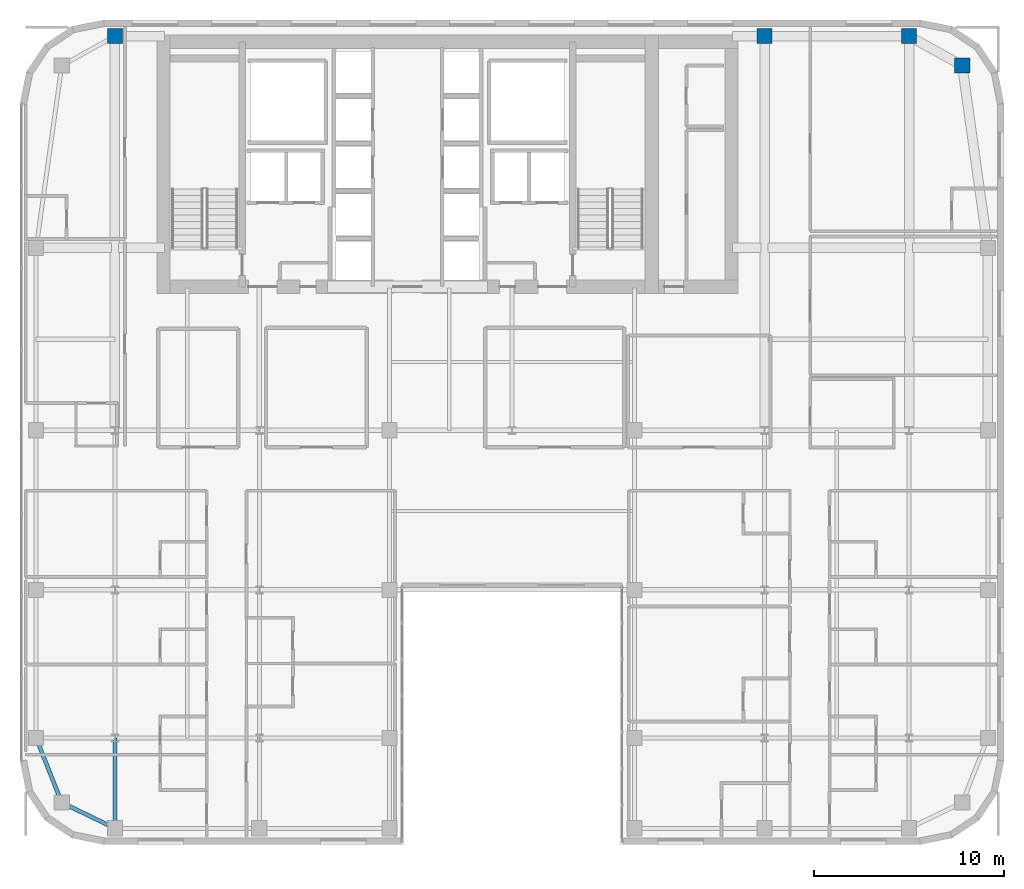
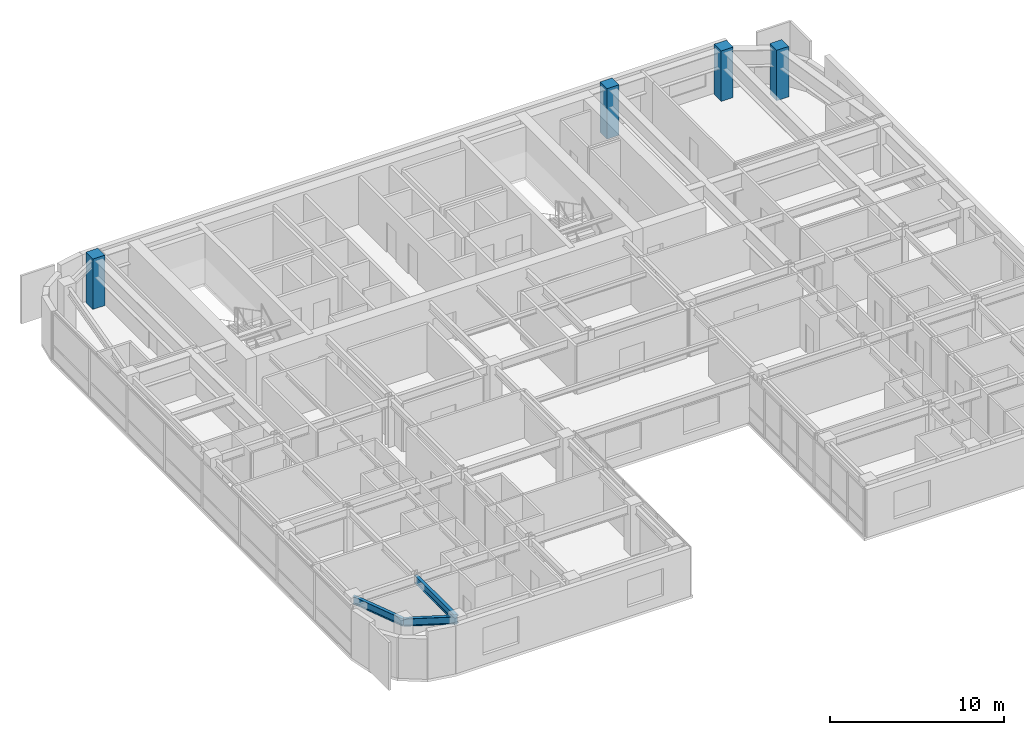
# One storey, part 2 of 24: 4 columns, 3 beams.
"""IFC4 building model written with IfcOpenShell, lengths in metres."""

from ifc_helpers import new_model, si_unit, direction, frame, origin, origin_2d, place, context, subcontext, project, spatial, rectangle, i_section, extrude, source, transform, mapped, material, material_profile, profile_set, type_object, type_shapes, element, save


model = new_model("IFC4")

# Units and contexts
model_context = context("Model", 3, precision=1e-05, world=origin(), true_north=direction((0.0, 1.0)))
body_context = subcontext(model_context, "Body", "Model", "MODEL_VIEW")
ifc_project = project(units=[si_unit("LENGTHUNIT", "METRE"), si_unit("AREAUNIT", "SQUARE_METRE"), si_unit("VOLUMEUNIT", "CUBIC_METRE"), si_unit("PLANEANGLEUNIT", "RADIAN"), si_unit("MASSUNIT", "GRAM", prefix="KILO")], contexts=[model_context])

# Site, building, storey
site_placement = place(None, origin())
site = spatial("IfcSite", under=ifc_project, at=site_placement, CompositionType="ELEMENT")
building_placement = place(site_placement, origin())
building = spatial("IfcBuilding", under=site, at=building_placement, Name="Tolvann Quenvar Hotel", CompositionType="ELEMENT")
storey_placement = place(building_placement, frame((0.0, 0.0, 157.699951171875)))
storey = spatial("IfcBuildingStorey", under=building, at=storey_placement, Name="L41", CompositionType="ELEMENT", Elevation=157.699951171875)

# Columns
ifc_material_1 = material(Name="Concrete N50 (50 MPa)", Category="concrete")
ifc_material_profile_1 = material_profile(ifc_material_1, rectangle(XDim=0.800048828125, YDim=0.800048828125, at=origin_2d()), Name="RC800x800")
ifc_profile_set_1 = profile_set([ifc_material_profile_1], Name="Concrete N50 (50 MPa)")
column_type = type_object("IfcColumnType", Name="COL_RC800", PredefinedType="COLUMN", material=ifc_profile_set_1)
shared_shape_1 = source(origin(), body_context, "Body", "SweptSolid", [
    extrude(rectangle(XDim=0.800048828125, YDim=0.800048828125, at=origin_2d()), origin(), (0.0, 0.0, 1.0), 3.550048828125),
])
type_shapes(column_type, [shared_shape_1])
for number, where, z_axis, x_axis, name in (
    (1, (7.60009765625, 45.14990234375, 0.0), (0.0, 0.0, 1.0), (1.0, 0.0, 0.0), "Column CN (L41)"),
    (2, (41.800048828125, 45.14990234375, 0.0), (0.0, 0.0, 1.0), (1.0, 0.0, 0.0), "Column HN (L41)"),
    (3, (49.39990234375, 45.14990234375, 0.0), (0.0, 0.0, 1.0), (1.0, 0.0, 0.0), "Column IN (L41)"),
    (4, (52.199951171875, 43.60009765625, 0.0), (0.0, 0.0, 1.0), (1.0, 0.0, 0.0), "Column JN (L41)"),
):
    element("IfcColumn", number, at=place(storey_placement, frame(where, z_axis=z_axis, x_axis=x_axis)), inside=storey, type_object=column_type, Name=name, PredefinedType="COLUMN", context=body_context, shape_type="MappedRepresentation", body=[
        mapped(shared_shape_1, transform((0.0, 0.0, 0.0), x_axis=(1.0, 0.0, 0.0), y_axis=(0.0, 1.0, 0.0), z_axis=(0.0, 0.0, 1.0), scale=1.0)),
    ])

# Beams
ifc_material_2 = material(Name="Steel Grade 350", Category="steel")
ifc_material_profile_2 = material_profile(ifc_material_2, i_section(OverallWidth=0.208984375, OverallDepth=0.528076171875, WebThickness=0.009521484375, FlangeThickness=0.01318359375, FilletRadius=0.013916015625, at=origin_2d()), Name="530UB82")
ifc_profile_set_2 = profile_set([ifc_material_profile_2], Name="Steel Grade 350")
beam_type_1 = type_object("IfcBeamType", Name="BM_SPAND_530UB82", PredefinedType="SPANDREL", material=ifc_profile_set_2)
shared_shape_2 = source(origin(), body_context, "Body", "SweptSolid", [
    extrude(i_section(OverallWidth=0.208984375, OverallDepth=0.528076171875, WebThickness=0.009521484375, FlangeThickness=0.01318359375, FilletRadius=0.013916015625, at=origin_2d()), origin(), (0.0, 0.0, 1.0), 3.108642578125),
])
beam_1_placement = place(storey_placement, frame((4.800048828125, 4.800048828125, 3.10595703125), z_axis=(0.900759354066, -0.434318530646, 0.0), x_axis=(0.434318530646, 0.900759354066, 0.0)))
element("IfcBeam", 5, at=beam_1_placement, inside=storey, type_object=beam_type_1, Name="BM-L41-EW-2-B2-C2", PredefinedType="SPANDREL", context=body_context, shape_type="MappedRepresentation", body=[
    mapped(shared_shape_2, transform((0.0, 0.0, 0.0), x_axis=(1.0, 0.0, 0.0), y_axis=(0.0, 1.0, 0.0), z_axis=(0.0, 0.0, 1.0), scale=1.0)),
])
shared_shape_3 = source(origin(), body_context, "Body", "SweptSolid", [
    extrude(i_section(OverallWidth=0.208984375, OverallDepth=0.528076171875, WebThickness=0.009521484375, FlangeThickness=0.01318359375, FilletRadius=0.013916015625, at=origin_2d()), origin(), (0.0, 0.0, 1.0), 3.658203125),
])
type_shapes(beam_type_1, [shared_shape_2, shared_shape_3])
beam_2_placement = place(storey_placement, frame((4.800048828125, 4.800048828125, 3.10595703125), z_axis=(-0.369065163807, 0.929403521009, 0.0), x_axis=(-0.929403521009, -0.369065163807, 0.0)))
element("IfcBeam", 6, at=beam_2_placement, inside=storey, type_object=beam_type_1, Name="BM-L41-NS-B2-B3", PredefinedType="SPANDREL", context=body_context, shape_type="MappedRepresentation", body=[
    mapped(shared_shape_3, transform((0.0, 0.0, 0.0), x_axis=(1.0, 0.0, 0.0), y_axis=(0.0, 1.0, 0.0), z_axis=(0.0, 0.0, 1.0), scale=1.0)),
])
ifc_material_profile_3 = material_profile(ifc_material_2, i_section(OverallWidth=0.208984375, OverallDepth=0.532958984375, WebThickness=0.01025390625, FlangeThickness=0.015625, FilletRadius=0.013916015625, at=origin_2d()), Name="530UB92")
ifc_profile_set_3 = profile_set([ifc_material_profile_3], Name="Steel Grade 350")
beam_type_2 = type_object("IfcBeamType", Name="BM_GIRD_530UB92", PredefinedType="BEAM", material=ifc_profile_set_3)
shared_shape_4 = source(origin(), body_context, "Body", "SweptSolid", [
    extrude(i_section(OverallWidth=0.208984375, OverallDepth=0.532958984375, WebThickness=0.01025390625, FlangeThickness=0.015625, FilletRadius=0.013916015625, at=origin_2d()), origin(), (0.0, 0.0, 1.0), 4.75),
])
type_shapes(beam_type_2, [shared_shape_4])
beam_3_placement = place(storey_placement, frame((7.60009765625, 3.449951171875, 3.103515625), z_axis=(0.0, 1.0, 0.0), x_axis=(-1.0, 0.0, 0.0)))
element("IfcBeam", 7, at=beam_3_placement, inside=storey, type_object=beam_type_2, Name="BM-L41-NS-C2-C3", PredefinedType="BEAM", context=body_context, shape_type="MappedRepresentation", body=[
    mapped(shared_shape_4, transform((0.0, 0.0, 0.0), x_axis=(1.0, 0.0, 0.0), y_axis=(0.0, 1.0, 0.0), z_axis=(0.0, 0.0, 1.0), scale=1.0)),
])

save(model, "model.ifc")
